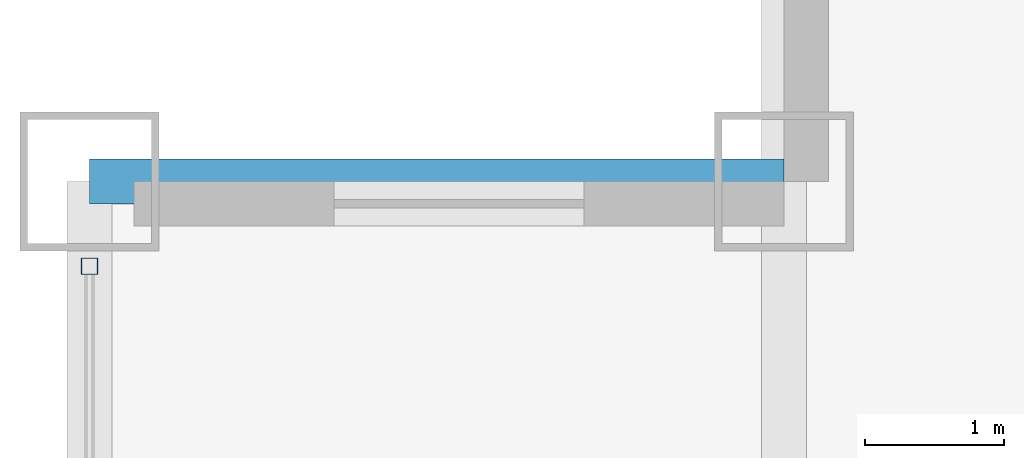
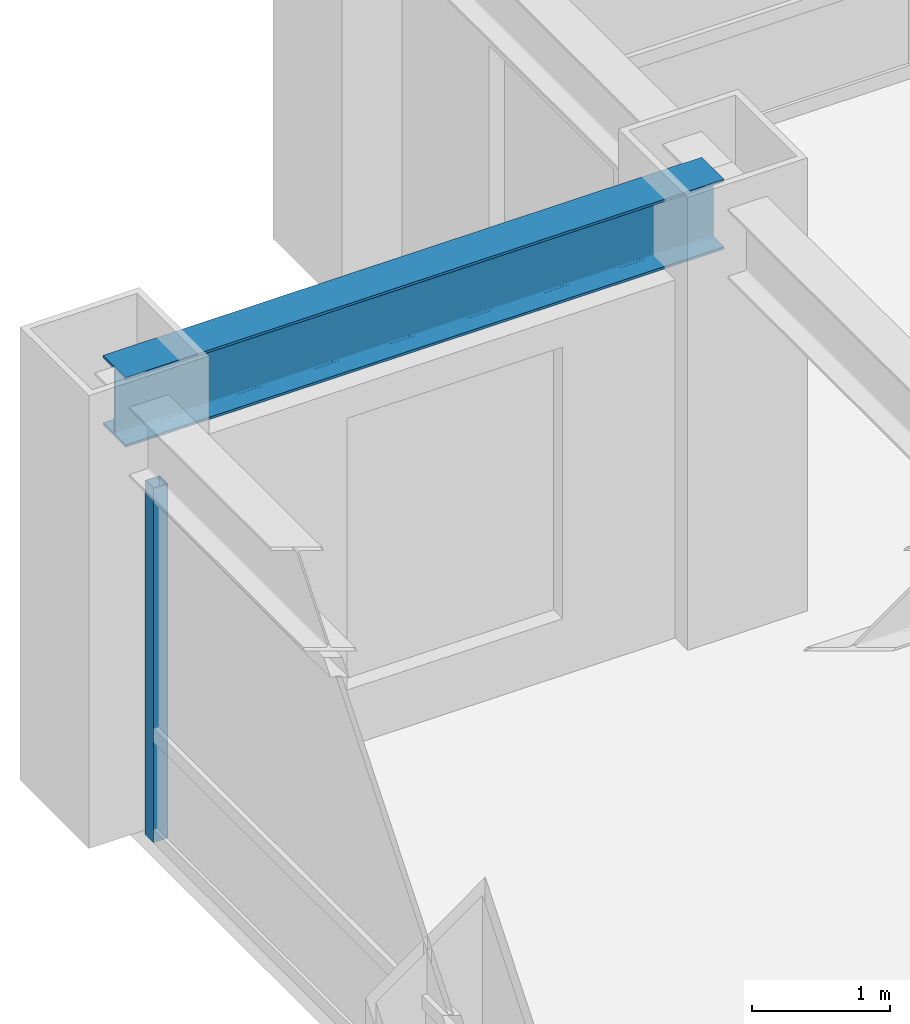
# One storey, part 12 of 24: 1 beam, 1 member, 1 element without a shape of its own.
"""IFC4 building model written with IfcOpenShell, lengths in metres."""

from ifc_helpers import new_model, si_unit, direction, frame, origin, origin_2d, place, context, subcontext, project, spatial, hollow_rectangle, i_section, extrude, source, transform, mapped, material, material_profile, profile_set, type_object, element, aggregate, save


model = new_model("IFC4")

# Units and contexts
model_context = context("Model", 3, precision=1e-05, world=origin(), true_north=direction((0.0, 1.0)))
body_context = subcontext(model_context, "Body", "Model", "MODEL_VIEW")
ifc_project = project(units=[si_unit("LENGTHUNIT", "METRE"), si_unit("AREAUNIT", "SQUARE_METRE"), si_unit("VOLUMEUNIT", "CUBIC_METRE"), si_unit("PLANEANGLEUNIT", "RADIAN"), si_unit("MASSUNIT", "GRAM", prefix="KILO")], contexts=[model_context])

# Site, building, storey
site_placement = place(None, origin())
site = spatial("IfcSite", under=ifc_project, at=site_placement, CompositionType="ELEMENT")
building_placement = place(site_placement, origin())
building = spatial("IfcBuilding", under=site, at=building_placement, Name="Khorayat Bourse Tower", CompositionType="ELEMENT")
storey_placement = place(building_placement, frame((0.0, 0.0, 211.10009765625)))
storey = spatial("IfcBuildingStorey", under=building, at=storey_placement, Name="L49", CompositionType="ELEMENT", Elevation=211.10009765625)

# Beam
ifc_material_1 = material(Name="Steel ASTM A992 Grade 50", Category="steel")
ifc_material_profile_1 = material_profile(ifc_material_1, i_section(OverallWidth=0.324951171875, OverallDepth=0.615966796875, WebThickness=0.013916015625, FlangeThickness=0.021484375, FilletRadius=0.01611328125, at=origin_2d()), Name="W610X174")
ifc_profile_set_1 = profile_set([ifc_material_profile_1], Name="Steel ASTM A992 Grade 50")
beam_type = type_object("IfcBeamType", Name="BM-SPAN-610", PredefinedType="SPANDREL", material=ifc_profile_set_1)
shared_shape_1 = source(origin(), body_context, "Body", "SweptSolid", [
    extrude(i_section(OverallWidth=0.324951171875, OverallDepth=0.615966796875, WebThickness=0.013916015625, FlangeThickness=0.021484375, FilletRadius=0.01611328125, at=origin_2d()), origin(), (0.0, 0.0, 1.0), 5.0),
])
beam_placement = place(storey_placement, frame((-30.0, 25.0, 3.471923828125), z_axis=(1.0, 0.0, 0.0), x_axis=(0.0, 1.0, 0.0)))
element("IfcBeam", 1, at=beam_placement, inside=storey, type_object=beam_type, Name="L49 BM-SPAN-610 BM-L49-SPN-053", PredefinedType="SPANDREL", context=body_context, shape_type="MappedRepresentation", body=[
    mapped(shared_shape_1, transform((0.0, 0.0, 0.0), scale=1.0)),
])

# Curtain wall, member
ifc_material_2 = material(Name="Aluminium EN AW-6063 T6", Category="aluminium")
curtain_wall_type = type_object("IfcCurtainWallType", Name="CW-SYS-03", PredefinedType="NOTDEFINED", material=ifc_material_2)
curtain_wall_placement = place(storey_placement, origin())
curtain_wall = element("IfcCurtainWall", 2, at=curtain_wall_placement, inside=storey, type_object=curtain_wall_type, Name="L49 Curtain Wall CW-L49-W1", PredefinedType="NOTDEFINED")
ifc_material_profile_2 = material_profile(ifc_material_2, hollow_rectangle(XDim=0.1201171875, YDim=0.1201171875, WallThickness=0.0048828125, at=origin_2d()), Name="ALU 120x120x5")
ifc_profile_set_2 = profile_set([ifc_material_profile_2], Name="Aluminium EN AW-6063 T6")
member_type = type_object("IfcMemberType", Name="CWM-VERT-120", PredefinedType="MULLION", material=ifc_profile_set_2)
shared_shape_2 = source(origin(), body_context, "Body", "SweptSolid", [
    extrude(hollow_rectangle(XDim=0.1201171875, YDim=0.1201171875, WallThickness=0.0048828125, at=origin_2d()), origin(), (0.0, 0.0, 1.0), 3.1298828125),
])
member_placement = place(storey_placement, frame((-30.0, 24.389892578125, 0.0), z_axis=(0.0, 0.0, 1.0), x_axis=(-1.0, 0.0, 0.0)))
member = element("IfcMember", 3, at=member_placement, type_object=member_type, Name="CW-L49-W1 Vertical Mullion 3", PredefinedType="MULLION", context=body_context, shape_type="MappedRepresentation", body=[
    mapped(shared_shape_2, transform((0.0, 0.0, 0.0), scale=1.0)),
])
aggregate(curtain_wall, [member])

save(model, "model.ifc")
